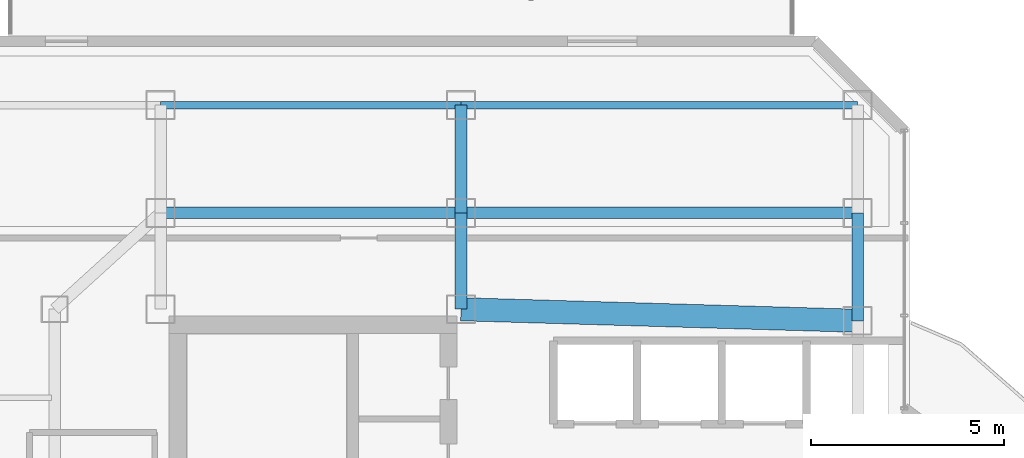
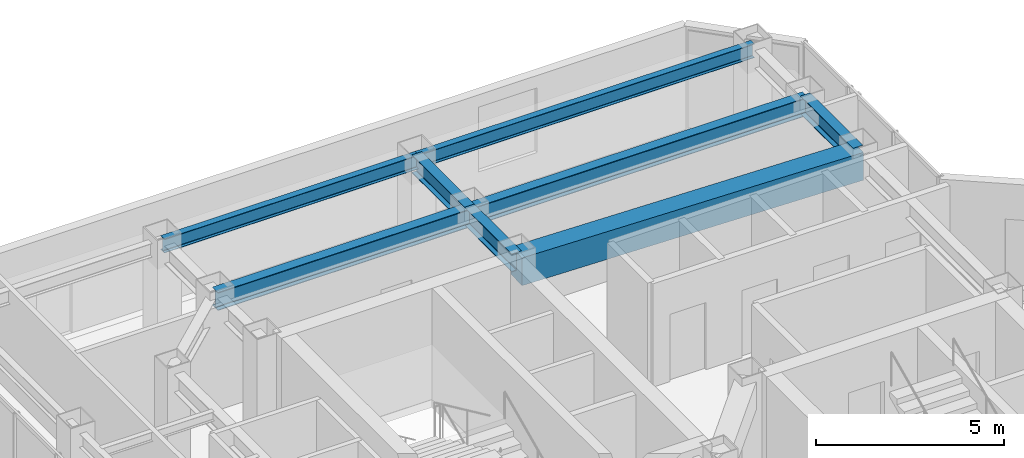
# One storey, part 16 of 25: 8 beams.
"""IFC4 building model written with IfcOpenShell, lengths in metres."""

from ifc_helpers import new_model, si_unit, direction, frame, origin, origin_2d, place, context, subcontext, project, spatial, rectangle, i_section, extrude, material, material_profile, profile_set, type_object, element, save


model = new_model("IFC4")

# Units and contexts
model_context = context("Model", 3, precision=1e-05, world=origin(), true_north=direction((0.0, 1.0)))
body_context = subcontext(model_context, "Body", "Model", "MODEL_VIEW")
ifc_project = project(units=[si_unit("LENGTHUNIT", "METRE"), si_unit("AREAUNIT", "SQUARE_METRE"), si_unit("VOLUMEUNIT", "CUBIC_METRE"), si_unit("PLANEANGLEUNIT", "RADIAN"), si_unit("MASSUNIT", "GRAM", prefix="KILO")], contexts=[model_context])

# Site, building, storey
site_placement = place(None, origin())
site = spatial("IfcSite", under=ifc_project, at=site_placement, CompositionType="ELEMENT")
building_placement = place(site_placement, origin())
building = spatial("IfcBuilding", under=site, at=building_placement, Name="Hatsunagi Terrace Concourse", CompositionType="ELEMENT")
storey_placement = place(building_placement, frame((0.0, 0.0, 205.949951171875)))
storey = spatial("IfcBuildingStorey", under=building, at=storey_placement, Name="L54", CompositionType="ELEMENT", Elevation=205.949951171875)

# Beams
ifc_material_1 = material(Name="Concrete Fc42", Category="concrete")
ifc_material_profile_1 = material_profile(ifc_material_1, rectangle(XDim=0.60009765625, YDim=0.89990234375, at=origin_2d()), Name="RC-600x900")
ifc_profile_set_1 = profile_set([ifc_material_profile_1], Name="Concrete Fc42")
beam_type_1 = type_object("IfcBeamType", Name="CoreCouplingBeam_RC_600x900", PredefinedType="BEAM", material=ifc_profile_set_1)
beam_1_placement = place(storey_placement, frame((33.35009765625, 43.300048828125, 2.900146484375), z_axis=(0.999575947545, -0.029119153303, 0.0), x_axis=(0.029119153303, 0.999575947545, 0.0)))
element("IfcBeam", 1, at=beam_1_placement, inside=storey, type_object=beam_type_1, Name="Beam CB-03 CB-L54-2", PredefinedType="BEAM", context=body_context, shape_type="SweptSolid", body=[
    extrude(rectangle(XDim=0.60009765625, YDim=0.89990234375, at=origin_2d()), origin(), (0.0, 0.0, 1.0), 10.30419921875),
])
ifc_material_2 = material(Name="Steel SN490B", Category="steel")
ifc_material_profile_2 = material_profile(ifc_material_2, i_section(OverallWidth=0.300048828125, OverallDepth=0.587890625, WebThickness=0.011962890625, FlangeThickness=0.02001953125, FilletRadius=0.01806640625, at=origin_2d()), Name="H-588x300x12x20")
ifc_profile_set_2 = profile_set([ifc_material_profile_2], Name="Steel SN490B")
beam_type_2 = type_object("IfcBeamType", Name="OfficeHighGirder_H_588x300", PredefinedType="BEAM", material=ifc_profile_set_2)
beam_2_placement = place(storey_placement, frame((33.35009765625, 43.300048828125, 3.05615234375), z_axis=(0.0, 1.0, 0.0), x_axis=(-1.0, 0.0, 0.0)))
element("IfcBeam", 2, at=beam_2_placement, inside=storey, type_object=beam_type_2, Name="Beam G-06 BM-L54-CN2", PredefinedType="BEAM", context=body_context, shape_type="SweptSolid", body=[
    extrude(i_section(OverallWidth=0.300048828125, OverallDepth=0.587890625, WebThickness=0.011962890625, FlangeThickness=0.02001953125, FilletRadius=0.01806640625, at=origin_2d()), origin(), (0.0, 0.0, 1.0), 2.5),
])
beam_3_placement = place(storey_placement, frame((43.64990234375, 43.0, 3.05615234375), z_axis=(0.0, 1.0, 0.0), x_axis=(-1.0, 0.0, 0.0)))
element("IfcBeam", 3, at=beam_3_placement, inside=storey, type_object=beam_type_2, Name="Beam G-06 BM-L54-CN3", PredefinedType="BEAM", context=body_context, shape_type="SweptSolid", body=[
    extrude(i_section(OverallWidth=0.300048828125, OverallDepth=0.587890625, WebThickness=0.011962890625, FlangeThickness=0.02001953125, FilletRadius=0.01806640625, at=origin_2d()), origin(), (0.0, 0.0, 1.0), 2.800048828125),
])
beam_4_placement = place(storey_placement, frame((25.550048828125, 45.800048828125, 3.05615234375), z_axis=(1.0, 0.0, 0.0), x_axis=(0.0, 1.0, 0.0)))
element("IfcBeam", 4, at=beam_4_placement, inside=storey, type_object=beam_type_2, Name="Beam G-06 BM-L54-CNEW1", PredefinedType="BEAM", context=body_context, shape_type="SweptSolid", body=[
    extrude(i_section(OverallWidth=0.300048828125, OverallDepth=0.587890625, WebThickness=0.011962890625, FlangeThickness=0.02001953125, FilletRadius=0.01806640625, at=origin_2d()), origin(), (0.0, 0.0, 1.0), 7.800048828125),
])
beam_5_placement = place(storey_placement, frame((33.35009765625, 45.800048828125, 3.05615234375), z_axis=(1.0, 0.0, 0.0), x_axis=(0.0, 1.0, 0.0)))
element("IfcBeam", 5, at=beam_5_placement, inside=storey, type_object=beam_type_2, Name="Beam G-06 BM-L54-CNEW2", PredefinedType="BEAM", context=body_context, shape_type="SweptSolid", body=[
    extrude(i_section(OverallWidth=0.300048828125, OverallDepth=0.587890625, WebThickness=0.011962890625, FlangeThickness=0.02001953125, FilletRadius=0.01806640625, at=origin_2d()), origin(), (0.0, 0.0, 1.0), 10.2998046875),
])
beam_6_placement = place(storey_placement, frame((33.35009765625, 45.800048828125, 3.05615234375), z_axis=(0.0, 1.0, 0.0), x_axis=(-1.0, 0.0, 0.0)))
element("IfcBeam", 6, at=beam_6_placement, inside=storey, type_object=beam_type_2, Name="Beam G-06 BM-L54-KN-WN5", PredefinedType="BEAM", context=body_context, shape_type="SweptSolid", body=[
    extrude(i_section(OverallWidth=0.300048828125, OverallDepth=0.587890625, WebThickness=0.011962890625, FlangeThickness=0.02001953125, FilletRadius=0.01806640625, at=origin_2d()), origin(), (0.0, 0.0, 1.0), 2.800048828125),
])
ifc_material_3 = material(Name="Steel SN490B", Category="steel")
ifc_material_profile_3 = material_profile(ifc_material_3, i_section(OverallWidth=0.199951171875, OverallDepth=0.449951171875, WebThickness=0.009033203125, FlangeThickness=0.013916015625, FilletRadius=0.01611328125, at=origin_2d()), Name="H-450x200x9x14")
ifc_profile_set_3 = profile_set([ifc_material_profile_3], Name="Steel SN490B")
beam_type_3 = type_object("IfcBeamType", Name="PerimeterSpandrel_H_450x200", PredefinedType="SPANDREL", material=ifc_profile_set_3)
beam_7_placement = place(storey_placement, frame((25.550048828125, 48.60009765625, 3.125), z_axis=(1.0, 0.0, 0.0), x_axis=(0.0, 1.0, 0.0)))
element("IfcBeam", 7, at=beam_7_placement, inside=storey, type_object=beam_type_3, Name="Beam SP-02 BM-L54-WN-25", PredefinedType="SPANDREL", context=body_context, shape_type="SweptSolid", body=[
    extrude(i_section(OverallWidth=0.199951171875, OverallDepth=0.449951171875, WebThickness=0.009033203125, FlangeThickness=0.013916015625, FilletRadius=0.01611328125, at=origin_2d()), origin(), (0.0, 0.0, 1.0), 7.800048828125),
])
beam_8_placement = place(storey_placement, frame((33.35009765625, 48.60009765625, 3.125), z_axis=(1.0, 0.0, 0.0), x_axis=(0.0, 1.0, 0.0)))
element("IfcBeam", 8, at=beam_8_placement, inside=storey, type_object=beam_type_3, Name="Beam SP-02 BM-L54-WN-33", PredefinedType="SPANDREL", context=body_context, shape_type="SweptSolid", body=[
    extrude(i_section(OverallWidth=0.199951171875, OverallDepth=0.449951171875, WebThickness=0.009033203125, FlangeThickness=0.013916015625, FilletRadius=0.01611328125, at=origin_2d()), origin(), (0.0, 0.0, 1.0), 10.2998046875),
])

save(model, "model.ifc")
